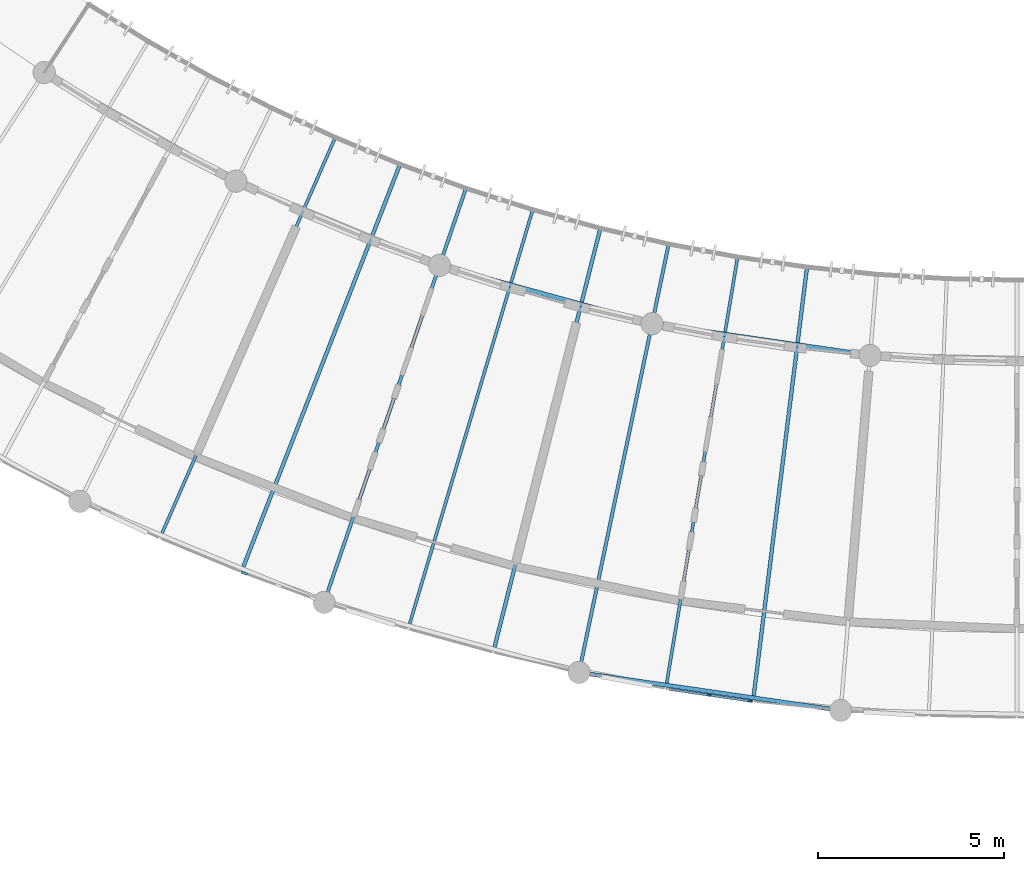
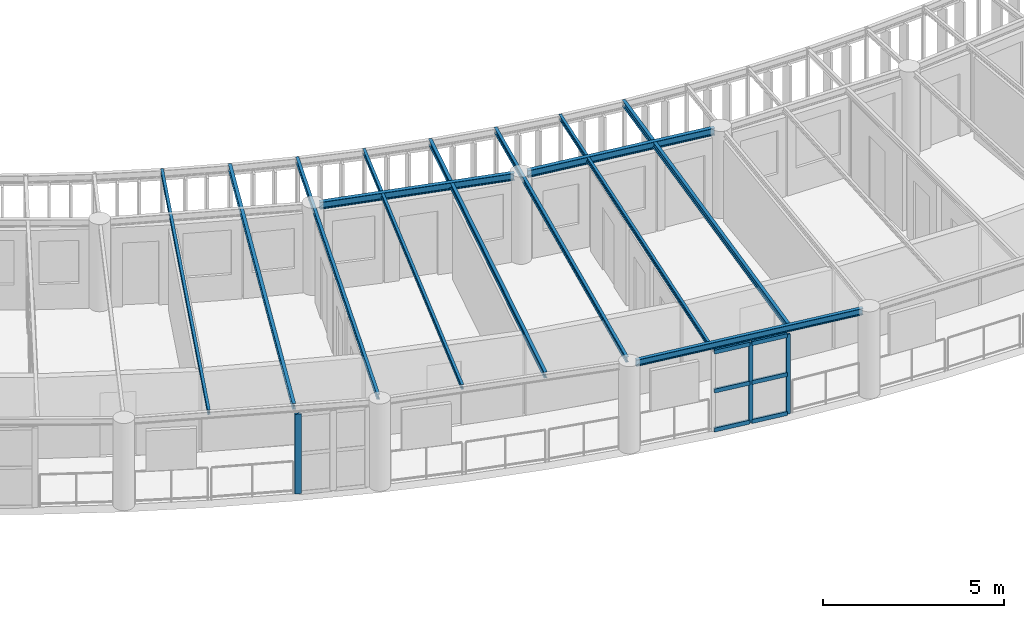
# One storey, part 5 of 101: 11 beams, 9 members, 2 elements without a shape of their own.
"""IFC4 building model written with IfcOpenShell, lengths in metres."""

from ifc_helpers import new_model, si_unit, direction, frame, origin, origin_2d, place, context, subcontext, project, spatial, rectangle, i_section, extrude, material, layer, layer_set, material_profile, profile_set, type_object, element, aggregate, save


model = new_model("IFC4")

# Units and contexts
model_context = context("Model", 3, precision=1e-05, world=origin(), true_north=direction((0.0, 1.0)))
body_context = subcontext(model_context, "Body", "Model", "MODEL_VIEW")
ifc_project = project(units=[si_unit("LENGTHUNIT", "METRE"), si_unit("AREAUNIT", "SQUARE_METRE"), si_unit("VOLUMEUNIT", "CUBIC_METRE"), si_unit("PLANEANGLEUNIT", "RADIAN"), si_unit("MASSUNIT", "GRAM", prefix="KILO"), si_unit("POWERUNIT", "WATT"), si_unit("THERMODYNAMICTEMPERATUREUNIT", "KELVIN")], contexts=[model_context])

# Site, building, storey
site_placement = place(None, origin())
site = spatial("IfcSite", under=ifc_project, at=site_placement, CompositionType="ELEMENT")
building_placement = place(site_placement, origin())
building = spatial("IfcBuilding", under=site, at=building_placement, Name="Ruvembo Vaulted Housing Court", CompositionType="ELEMENT")
storey_placement = place(building_placement, frame((0.0, 0.0, 17.300048828125)))
storey = spatial("IfcBuildingStorey", under=building, at=storey_placement, Name="L05", CompositionType="ELEMENT", Elevation=17.300048828125)

# Beams
ifc_material_1 = material(Name="Steel S355J2", Category="steel")
ifc_material_profile_1 = material_profile(ifc_material_1, i_section(OverallWidth=0.08203125, OverallDepth=0.159912109375, WebThickness=0.0048828125, FlangeThickness=0.00732421875, FilletRadius=0.009033203125, at=origin_2d()), Name="IPE 160")
ifc_profile_set_1 = profile_set([ifc_material_profile_1], Name="Steel S355J2")
beam_type_1 = type_object("IfcBeamType", Name="BM-ST-IPE160", PredefinedType="JOIST", material=ifc_profile_set_1)
beam_1_placement = place(storey_placement, frame((45.9658203125, 9.367919921875, 2.85205078125), z_axis=(0.400923991771, 0.916111321196, 0.0), x_axis=(-0.916111321196, 0.400923991771, 0.0)))
element("IfcBeam", 1, at=beam_1_placement, inside=storey, type_object=beam_type_1, Name="Scoop SC2 L05 Radial Steel Joist 4", PredefinedType="JOIST", context=body_context, shape_type="SweptSolid", body=[
    extrude(i_section(OverallWidth=0.08203125, OverallDepth=0.159912109375, WebThickness=0.0048828125, FlangeThickness=0.00732421875, FilletRadius=0.009033203125, at=origin_2d()), origin(), (0.0, 0.0, 1.0), 11.691650390625),
])
for number, where, z_axis, x_axis, name in (
    (2, (52.638916015625, 6.9267578125, 2.85205078125), (0.28479137609, 0.958589522217, 0.0), (-0.958589522217, 0.28479137609, 0.0), "Scoop SC2 L05 Radial Steel Joist 7"),
    (3, (59.5625, 5.328369140625, 2.85205078125), (0.164290631564, 0.986411977006, 0.0), (-0.986411977006, 0.164290631564, 0.0), "Scoop SC2 L05 Radial Steel Joist 10"),
):
    element("IfcBeam", number, at=place(storey_placement, frame(where, z_axis=z_axis, x_axis=x_axis)), inside=storey, type_object=beam_type_1, Name=name, PredefinedType="JOIST", context=body_context, shape_type="SweptSolid", body=[
        extrude(i_section(OverallWidth=0.08203125, OverallDepth=0.159912109375, WebThickness=0.0048828125, FlangeThickness=0.00732421875, FilletRadius=0.009033203125, at=origin_2d()), origin(), (0.0, 0.0, 1.0), 11.692138671875),
    ])
ifc_material_profile_2 = material_profile(ifc_material_1, i_section(OverallWidth=0.091064453125, OverallDepth=0.179931640625, WebThickness=0.00537109375, FlangeThickness=0.008056640625, FilletRadius=0.009033203125, at=origin_2d()), Name="IPE 180")
ifc_profile_set_2 = profile_set([ifc_material_profile_2], Name="Steel S355J2")
beam_type_2 = type_object("IfcBeamType", Name="BM-ST-IPE180", PredefinedType="JOIST", material=ifc_profile_set_2)
for number, where, z_axis, x_axis, name in (
    (4, (50.395263671875, 7.68798828125, 2.842041015625), (0.324062860015, 0.946035550473, 0.0), (-0.946035550473, 0.324062860015, 0.0), "Scoop SC2 L05 Radial Steel Joist 6"),
    (5, (57.241943359375, 5.806884765625, 2.842041015625), (0.204825335191, 0.978798540081, 0.0), (-0.978798540081, 0.204825335191, 0.0), "Scoop SC2 L05 Radial Steel Joist 9"),
):
    element("IfcBeam", number, at=place(storey_placement, frame(where, z_axis=z_axis, x_axis=x_axis)), inside=storey, type_object=beam_type_2, Name=name, PredefinedType="JOIST", context=body_context, shape_type="SweptSolid", body=[
        extrude(i_section(OverallWidth=0.091064453125, OverallDepth=0.179931640625, WebThickness=0.00537109375, FlangeThickness=0.008056640625, FilletRadius=0.009033203125, at=origin_2d()), origin(), (0.0, 0.0, 1.0), 11.650146484375),
    ])
ifc_material_profile_3 = material_profile(ifc_material_1, i_section(OverallWidth=0.10009765625, OverallDepth=0.199951171875, WebThickness=0.005615234375, FlangeThickness=0.008544921875, FilletRadius=0.011962890625, at=origin_2d()), Name="IPE 200")
ifc_profile_set_3 = profile_set([ifc_material_profile_3], Name="Steel S355J2")
beam_type_3 = type_object("IfcBeamType", Name="BM-ST-IPE200", PredefinedType="BEAM", material=ifc_profile_set_3)
beam_2_placement = place(storey_placement, frame((48.156005859375, 8.46240234375, 2.83203125), z_axis=(0.362802942669, 0.931865883478, 0.0), x_axis=(-0.931865883478, 0.362802942669, 0.0)))
element("IfcBeam", 6, at=beam_2_placement, inside=storey, type_object=beam_type_3, Name="Scoop SC2 L05 Radial Steel Joist 5", PredefinedType="BEAM", context=body_context, shape_type="SweptSolid", body=[
    extrude(i_section(OverallWidth=0.10009765625, OverallDepth=0.199951171875, WebThickness=0.005615234375, FlangeThickness=0.008544921875, FilletRadius=0.011962890625, at=origin_2d()), origin(), (0.0, 0.0, 1.0), 11.692138671875),
])
beam_3_placement = place(storey_placement, frame((54.92431640625, 6.299072265625, 2.83203125), z_axis=(0.24500130138, 0.96952274977, 0.0), x_axis=(-0.96952274977, 0.24500130138, 0.0)))
element("IfcBeam", 7, at=beam_3_placement, inside=storey, type_object=beam_type_3, Name="Scoop SC2 L05 Radial Steel Joist 8", PredefinedType="BEAM", context=body_context, shape_type="SweptSolid", body=[
    extrude(i_section(OverallWidth=0.10009765625, OverallDepth=0.199951171875, WebThickness=0.005615234375, FlangeThickness=0.008544921875, FilletRadius=0.011962890625, at=origin_2d()), origin(), (0.0, 0.0, 1.0), 11.69189453125),
])
beam_4_placement = place(storey_placement, frame((61.907958984375, 4.9873046875, 2.83203125), z_axis=(0.123446200649, 0.992351266208, 0.0), x_axis=(-0.992351266208, 0.123446200649, 0.0)))
element("IfcBeam", 8, at=beam_4_placement, inside=storey, type_object=beam_type_3, Name="Scoop SC2 L05 Radial Steel Joist 11", PredefinedType="BEAM", context=body_context, shape_type="SweptSolid", body=[
    extrude(i_section(OverallWidth=0.10009765625, OverallDepth=0.199951171875, WebThickness=0.005615234375, FlangeThickness=0.008544921875, FilletRadius=0.011962890625, at=origin_2d()), origin(), (0.0, 0.0, 1.0), 11.692138671875),
])
ifc_material_profile_4 = material_profile(ifc_material_1, i_section(OverallWidth=0.110107421875, OverallDepth=0.219970703125, WebThickness=0.005859375, FlangeThickness=0.00927734375, FilletRadius=0.011962890625, at=origin_2d()), Name="IPE 220")
ifc_profile_set_4 = profile_set([ifc_material_profile_4], Name="Steel S355J2")
beam_type_4 = type_object("IfcBeamType", Name="BM-ST-IPE220", PredefinedType="SPANDREL", material=ifc_profile_set_4)
beam_5_placement = place(storey_placement, frame((57.39111328125, 5.59375, 2.823974609375), z_axis=(0.989592345003, -0.143899238052, 0.0), x_axis=(0.143899238052, 0.989592345003, 0.0)))
element("IfcBeam", 9, at=beam_5_placement, inside=storey, type_object=beam_type_4, Name="Scoop SC2 L05 Chord Girder B9", PredefinedType="SPANDREL", context=body_context, shape_type="SweptSolid", body=[
    extrude(i_section(OverallWidth=0.110107421875, OverallDepth=0.219970703125, WebThickness=0.005859375, FlangeThickness=0.00927734375, FilletRadius=0.011962890625, at=origin_2d()), origin(), (0.0, 0.0, 1.0), 6.743896484375),
])
ifc_material_profile_5 = material_profile(ifc_material_1, i_section(OverallWidth=0.1201171875, OverallDepth=0.239990234375, WebThickness=0.006103515625, FlangeThickness=0.009765625, FilletRadius=0.014892578125, at=origin_2d()), Name="IPE 240")
ifc_profile_set_5 = profile_set([ifc_material_profile_5], Name="Steel S355J2")
beam_type_5 = type_object("IfcBeamType", Name="BM-ST-IPE240", PredefinedType="BEAM", material=ifc_profile_set_5)
for number, where, z_axis, x_axis, name in (
    (10, (53.6279296875, 16.5400390625, 2.81396484375), (0.964266306067, -0.264934880648, 0.0), (0.264934880648, 0.964266306067, 0.0), "Scoop SC2 L05 Chord Girder F6"),
    (11, (59.357421875, 14.990234375, 2.81396484375), (0.989593151794, -0.143893689656, 0.0), (0.143893689656, 0.989593151794, 0.0), "Scoop SC2 L05 Chord Girder F9"),
):
    element("IfcBeam", number, at=place(storey_placement, frame(where, z_axis=z_axis, x_axis=x_axis)), inside=storey, type_object=beam_type_5, Name=name, PredefinedType="BEAM", context=body_context, shape_type="SweptSolid", body=[
        extrude(i_section(OverallWidth=0.1201171875, OverallDepth=0.239990234375, WebThickness=0.006103515625, FlangeThickness=0.009765625, FilletRadius=0.014892578125, at=origin_2d()), origin(), (0.0, 0.0, 1.0), 5.556640625),
    ])

# Curtain wall, members
ifc_material_2 = material(Name="Anodised Aluminium and Solar-Control Glass", Category="aluminium")
ifc_layer_1 = layer(ifc_material_2, 0.139892578125, Name="Anodised Aluminium and Solar-Control Glass")
ifc_layer_set_1 = layer_set([ifc_layer_1], Name="Anodised Aluminium and Solar-Control Glass")
curtain_wall_type_1 = type_object("IfcCurtainWallType", Name="CW-SCOOP-PAN", PredefinedType="NOTDEFINED", material=ifc_layer_set_1)
curtain_wall_1_placement = place(storey_placement, origin())
curtain_wall_1 = element("IfcCurtainWall", 12, at=curtain_wall_1_placement, inside=storey, type_object=curtain_wall_type_1, Name="L05 Curtain Wall CW-L05-0055", PredefinedType="NOTDEFINED")
ifc_material_3 = material(Name="Anodised Aluminium 6063-T6", Category="aluminium")
ifc_material_profile_6 = material_profile(ifc_material_3, rectangle(XDim=0.054931640625, YDim=0.1201171875, at=origin_2d()), Name="ALU 55x120")
ifc_profile_set_6 = profile_set([ifc_material_profile_6], Name="Anodised Aluminium 6063-T6")
member_type_1 = type_object("IfcMemberType", Name="CW-MUL-55x120", PredefinedType="MULLION", material=ifc_profile_set_6)
member_1_placement = place(storey_placement, frame((60.7138671875, 5.011474609375, 0.0), z_axis=(0.0, 0.0, 1.0), x_axis=(0.143850661969, 0.989599407362, 0.0)))
member_1 = element("IfcMember", 13, at=member_1_placement, type_object=member_type_1, Name="CW10 mullion 2", PredefinedType="MULLION", context=body_context, shape_type="SweptSolid", body=[
    extrude(rectangle(XDim=0.054931640625, YDim=0.1201171875, at=origin_2d()), origin(), (0.0, 0.0, 1.0), 2.68994140625),
])
member_2_placement = place(storey_placement, frame((61.81298828125, 4.851806640625, 0.0), z_axis=(0.0, 0.0, 1.0), x_axis=(0.143850661969, 0.989599407362, 0.0)))
member_2 = element("IfcMember", 14, at=member_2_placement, type_object=member_type_1, Name="CW10 mullion 3", PredefinedType="MULLION", context=body_context, shape_type="SweptSolid", body=[
    extrude(rectangle(XDim=0.054931640625, YDim=0.1201171875, at=origin_2d()), origin(), (0.0, 0.0, 1.0), 2.68994140625),
])

# Curtain wall, member
ifc_layer_2 = layer(ifc_material_2, 0.1201171875, Name="Anodised Aluminium and Solar-Control Glass")
ifc_layer_set_2 = layer_set([ifc_layer_2], Name="Anodised Aluminium and Solar-Control Glass")
curtain_wall_type_2 = type_object("IfcCurtainWallType", Name="CW-SCOOP-GAL", PredefinedType="NOTDEFINED", material=ifc_layer_set_2)
curtain_wall_2_placement = place(storey_placement, origin())
curtain_wall_2 = element("IfcCurtainWall", 15, at=curtain_wall_2_placement, inside=storey, type_object=curtain_wall_type_2, Name="L05 Curtain Wall CW-L05-0054", PredefinedType="NOTDEFINED")
ifc_material_profile_7 = material_profile(ifc_material_3, rectangle(XDim=0.06494140625, YDim=0.179931640625, at=origin_2d()), Name="ALU 65x180")
ifc_profile_set_7 = profile_set([ifc_material_profile_7], Name="Anodised Aluminium 6063-T6")
member_type_2 = type_object("IfcMemberType", Name="CW-MUL-65x180", PredefinedType="MULLION", material=ifc_profile_set_7)
member_3_placement = place(storey_placement, frame((48.179931640625, 8.296142578125, 0.0), z_axis=(0.0, 0.0, 1.0), x_axis=(0.343490217835, 0.939156254439, 0.0)))
member_3 = element("IfcMember", 16, at=member_3_placement, type_object=member_type_2, Name="CW6 mullion 1", PredefinedType="MULLION", context=body_context, shape_type="SweptSolid", body=[
    extrude(rectangle(XDim=0.06494140625, YDim=0.179931640625, at=origin_2d()), origin(), (0.0, 0.0, 1.0), 2.68994140625),
])
aggregate(curtain_wall_2, [member_3])

# Member
ifc_material_profile_8 = material_profile(ifc_material_3, rectangle(XDim=0.06494140625, YDim=0.135009765625, at=origin_2d()), Name="ALU 65x135")
ifc_profile_set_8 = profile_set([ifc_material_profile_8], Name="Anodised Aluminium 6063-T6")
member_type_3 = type_object("IfcMemberType", Name="CW-TRN-65x135", PredefinedType="USERDEFINED", material=ifc_profile_set_8)
member_4_placement = place(storey_placement, frame((59.642333984375, 5.167236328125, 0.032470703125), z_axis=(0.9895948248, -0.143882183503, 0.0), x_axis=(0.143882183503, 0.9895948248, 0.0)))
member_4 = element("IfcMember", 17, at=member_4_placement, type_object=member_type_3, Name="CW10 transom 1.1", ObjectType="TRANSOM", PredefinedType="USERDEFINED", context=body_context, shape_type="SweptSolid", body=[
    extrude(rectangle(XDim=0.06494140625, YDim=0.135009765625, at=origin_2d()), origin(), (0.0, 0.0, 1.0), 1.055419921875),
])

member_5_placement = place(storey_placement, frame((59.642333984375, 5.167236328125, 1.344970703125), z_axis=(0.9895948248, -0.143882183503, 0.0), x_axis=(0.143882183503, 0.9895948248, 0.0)))
member_5 = element("IfcMember", 18, at=member_5_placement, type_object=member_type_3, Name="CW10 transom 1.2", ObjectType="TRANSOM", PredefinedType="USERDEFINED", context=body_context, shape_type="SweptSolid", body=[
    extrude(rectangle(XDim=0.06494140625, YDim=0.135009765625, at=origin_2d()), origin(), (0.0, 0.0, 1.0), 1.055419921875),
])

member_6_placement = place(storey_placement, frame((59.642333984375, 5.167236328125, 2.657470703125), z_axis=(0.9895948248, -0.143882183503, 0.0), x_axis=(0.143882183503, 0.9895948248, 0.0)))
member_6 = element("IfcMember", 19, at=member_6_placement, type_object=member_type_3, Name="CW10 transom 1.3", ObjectType="TRANSOM", PredefinedType="USERDEFINED", context=body_context, shape_type="SweptSolid", body=[
    extrude(rectangle(XDim=0.06494140625, YDim=0.135009765625, at=origin_2d()), origin(), (0.0, 0.0, 1.0), 1.055419921875),
])

member_7_placement = place(storey_placement, frame((60.7412109375, 5.007568359375, 0.032470703125), z_axis=(0.9895948248, -0.143882183503, 0.0), x_axis=(0.143882183503, 0.9895948248, 0.0)))
member_7 = element("IfcMember", 20, at=member_7_placement, type_object=member_type_3, Name="CW10 transom 2.1", ObjectType="TRANSOM", PredefinedType="USERDEFINED", context=body_context, shape_type="SweptSolid", body=[
    extrude(rectangle(XDim=0.06494140625, YDim=0.135009765625, at=origin_2d()), origin(), (0.0, 0.0, 1.0), 1.055419921875),
])

member_8_placement = place(storey_placement, frame((60.7412109375, 5.007568359375, 1.344970703125), z_axis=(0.9895948248, -0.143882183503, 0.0), x_axis=(0.143882183503, 0.9895948248, 0.0)))
member_8 = element("IfcMember", 21, at=member_8_placement, type_object=member_type_3, Name="CW10 transom 2.2", ObjectType="TRANSOM", PredefinedType="USERDEFINED", context=body_context, shape_type="SweptSolid", body=[
    extrude(rectangle(XDim=0.06494140625, YDim=0.135009765625, at=origin_2d()), origin(), (0.0, 0.0, 1.0), 1.055419921875),
])

member_9_placement = place(storey_placement, frame((60.7412109375, 5.007568359375, 2.657470703125), z_axis=(0.9895948248, -0.143882183503, 0.0), x_axis=(0.143882183503, 0.9895948248, 0.0)))
member_9 = element("IfcMember", 22, at=member_9_placement, type_object=member_type_3, Name="CW10 transom 2.3", ObjectType="TRANSOM", PredefinedType="USERDEFINED", context=body_context, shape_type="SweptSolid", body=[
    extrude(rectangle(XDim=0.06494140625, YDim=0.135009765625, at=origin_2d()), origin(), (0.0, 0.0, 1.0), 1.055419921875),
])

aggregate(curtain_wall_1, [member_1, member_2, member_4, member_5, member_6, member_7, member_8, member_9])

save(model, "model.ifc")
